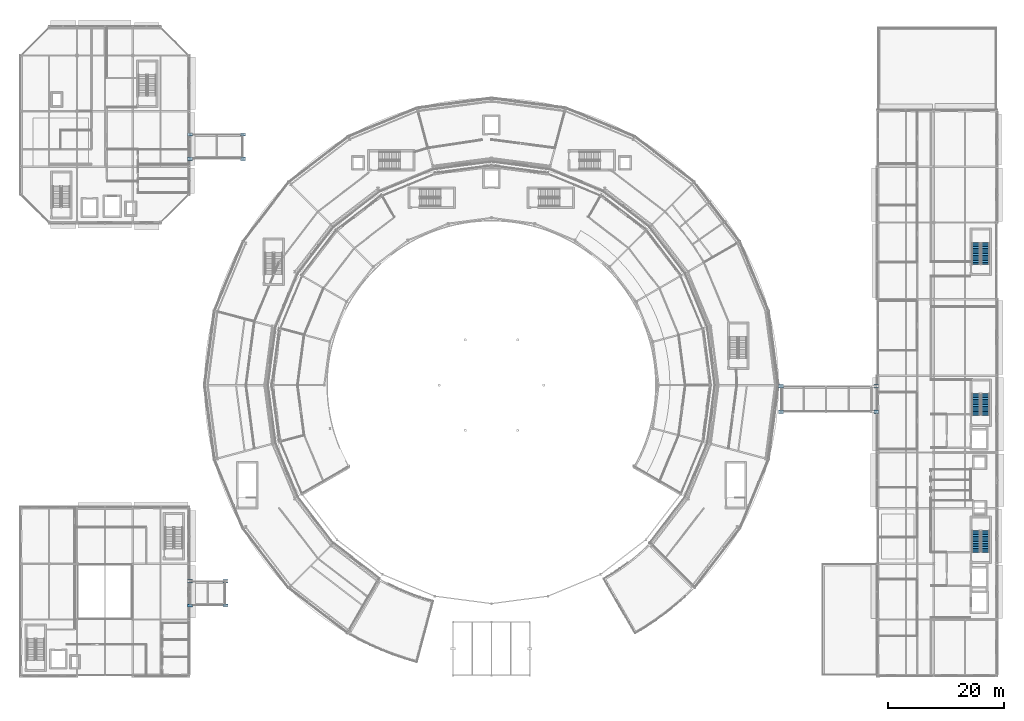
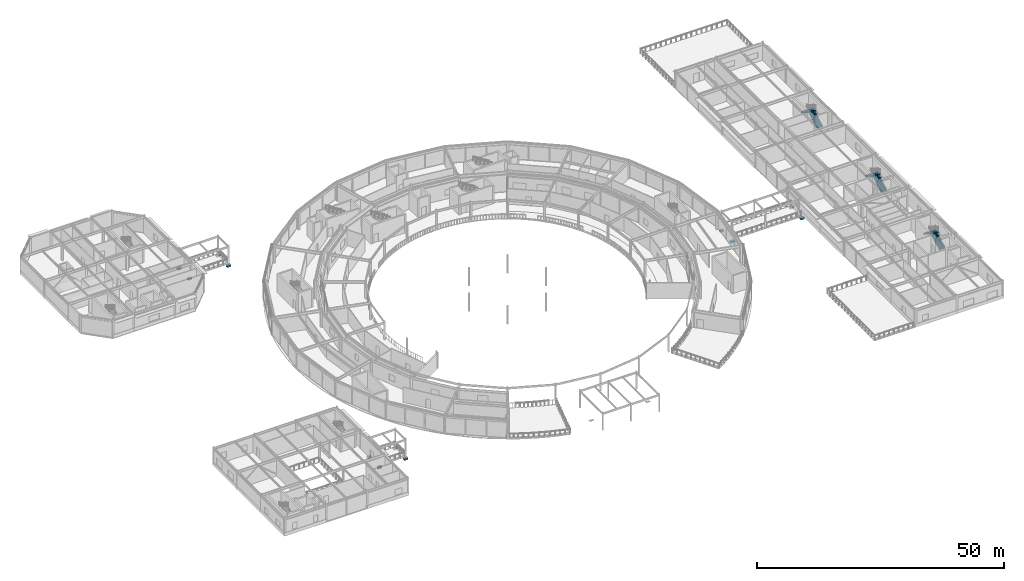
# One storey, part 129 of 157: 13 discrete accessories, 6 stair flights, 3 elements without a shape of their own.
"""IFC4 building model written with IfcOpenShell, lengths in metres."""

from ifc_helpers import new_model, si_unit, direction, frame, origin, origin_2d, place, context, subcontext, project, spatial, polyline, rectangle, outline, extrude, material, layer, layer_set, type_object, element, aggregate, save


model = new_model("IFC4")

# Units and contexts
model_context = context("Model", 3, precision=1e-05, world=origin(), true_north=direction((0.0, 1.0)))
body_context = subcontext(model_context, "Body", "Model", "MODEL_VIEW")
ifc_project = project(units=[si_unit("LENGTHUNIT", "METRE"), si_unit("AREAUNIT", "SQUARE_METRE"), si_unit("VOLUMEUNIT", "CUBIC_METRE"), si_unit("PLANEANGLEUNIT", "RADIAN"), si_unit("MASSUNIT", "GRAM", prefix="KILO")], contexts=[model_context])

# Site, building, storey
site_placement = place(None, origin())
site = spatial("IfcSite", under=ifc_project, at=site_placement, CompositionType="ELEMENT")
building_placement = place(site_placement, origin())
building = spatial("IfcBuilding", under=site, at=building_placement, Name="Almandine Court Research Institute", CompositionType="ELEMENT")
storey_placement = place(building_placement, frame((0.0, 0.0, 5.25)))
storey = spatial("IfcBuildingStorey", under=building, at=storey_placement, Name="L01", CompositionType="ELEMENT", Elevation=5.25)

# Stair, stair flights
ifc_material_1 = material(Name="Concrete C35/45", Category="concrete")
stair_type = type_object("IfcStairType", Name="Stair-Core-26R", PredefinedType="HALF_TURN_STAIR", material=ifc_material_1)
stair_1_placement = place(storey_placement, origin())
stair_1 = element("IfcStair", 1, at=stair_1_placement, inside=storey, type_object=stair_type, Name="L01 Wet Lab South High-Rise Core Stair", PredefinedType="HALF_TURN_STAIR")
stair_flight_type = type_object("IfcStairFlightType", Name="Flight-Core-26R", PredefinedType="STRAIGHT", material=ifc_material_1)
stair_flight_1_placement = place(storey_placement, frame((172.090087890625, 27.25, 0.0), z_axis=(0.0, 0.0, 1.0), x_axis=(0.0, 1.0, 0.0)))
stair_flight_1 = element("IfcStairFlight", 2, at=stair_flight_1_placement, type_object=stair_flight_type, Name="ST-07 flight 1", NumberOfRisers=13, NumberOfTreads=12, PredefinedType="STRAIGHT", RiserHeight=0.175, TreadLength=0.3, context=body_context, shape_type="SweptSolid", body=[
    extrude(outline(polyline([(-0.080078125, -0.139892578125), (-0.080078125, 0.0), (0.0, 0.0), (0.0, 0.175048828125), (0.300048828125, 0.175048828125), (0.300048828125, 0.35009765625), (0.60009765625, 0.35009765625), (0.60009765625, 0.52490234375), (0.89990234375, 0.52490234375), (0.89990234375, 0.699951171875), (1.199951171875, 0.699951171875), (1.199951171875, 0.875), (1.5, 0.875), (1.5, 1.050048828125), (1.800048828125, 1.050048828125), (1.800048828125, 1.22509765625), (2.10009765625, 1.22509765625), (2.10009765625, 1.39990234375), (2.39990234375, 1.39990234375), (2.39990234375, 1.574951171875), (2.699951171875, 1.574951171875), (2.699951171875, 1.75), (3.0, 1.75), (3.0, 1.925048828125), (3.300048828125, 1.925048828125), (3.300048828125, 2.10009765625), (3.60009765625, 2.10009765625), (3.60009765625, 2.27490234375), (3.679931640625, 2.27490234375), (3.679931640625, 2.114990234375), (3.60009765625, 1.914794921875), (0.3173828125, 0.0), (0.3173828125, -0.139892578125), (-0.080078125, -0.139892578125)])), frame((0.0, 0.7099609375, 0.0), z_axis=(0.0, -1.0, 0.0), x_axis=(1.0, 0.0, 0.0)), (0.0, 0.0, 1.0), 1.419921875),
])
stair_flight_2_placement = place(storey_placement, frame((170.510009765625, 30.85009765625, 2.27490234375), z_axis=(0.0, 0.0, 1.0), x_axis=(0.0, -1.0, 0.0)))
stair_flight_2 = element("IfcStairFlight", 3, at=stair_flight_2_placement, type_object=stair_flight_type, Name="ST-07 flight 2", NumberOfRisers=13, NumberOfTreads=12, PredefinedType="STRAIGHT", RiserHeight=0.175, TreadLength=0.3, context=body_context, shape_type="SweptSolid", body=[
    extrude(outline(polyline([(-0.080078125, -0.139892578125), (-0.080078125, 0.0), (0.0, 0.0), (0.0, 0.175048828125), (0.300048828125, 0.175048828125), (0.300048828125, 0.35009765625), (0.60009765625, 0.35009765625), (0.60009765625, 0.52490234375), (0.89990234375, 0.52490234375), (0.89990234375, 0.699951171875), (1.199951171875, 0.699951171875), (1.199951171875, 0.875), (1.5, 0.875), (1.5, 1.050048828125), (1.800048828125, 1.050048828125), (1.800048828125, 1.22509765625), (2.10009765625, 1.22509765625), (2.10009765625, 1.39990234375), (2.39990234375, 1.39990234375), (2.39990234375, 1.574951171875), (2.699951171875, 1.574951171875), (2.699951171875, 1.75), (3.0, 1.75), (3.0, 1.925048828125), (3.300048828125, 1.925048828125), (3.300048828125, 2.10009765625), (3.60009765625, 2.10009765625), (3.60009765625, 2.27490234375), (3.679931640625, 2.27490234375), (3.679931640625, 2.114990234375), (3.60009765625, 1.914794921875), (0.3173828125, 0.0), (0.3173828125, -0.139892578125), (-0.080078125, -0.139892578125)])), frame((0.0, 0.7099609375, 0.0), z_axis=(0.0, -1.0, 0.0), x_axis=(1.0, 0.0, 0.0)), (0.0, 0.0, 1.0), 1.419921875),
])
aggregate(stair_1, [stair_flight_1, stair_flight_2])

stair_2_placement = place(storey_placement, origin())
stair_2 = element("IfcStair", 4, at=stair_2_placement, inside=storey, type_object=stair_type, Name="L01 Wet Lab Central High-Rise Core Stair", PredefinedType="HALF_TURN_STAIR")
stair_flight_3_placement = place(storey_placement, frame((172.090087890625, 50.85009765625, 0.0), z_axis=(0.0, 0.0, 1.0), x_axis=(0.0, 1.0, 0.0)))
stair_flight_3 = element("IfcStairFlight", 5, at=stair_flight_3_placement, type_object=stair_flight_type, Name="ST-08 flight 1", NumberOfRisers=13, NumberOfTreads=12, PredefinedType="STRAIGHT", RiserHeight=0.175, TreadLength=0.3, context=body_context, shape_type="SweptSolid", body=[
    extrude(outline(polyline([(-0.080078125, -0.139892578125), (-0.080078125, 0.0), (0.0, 0.0), (0.0, 0.175048828125), (0.300048828125, 0.175048828125), (0.300048828125, 0.35009765625), (0.60009765625, 0.35009765625), (0.60009765625, 0.52490234375), (0.89990234375, 0.52490234375), (0.89990234375, 0.699951171875), (1.199951171875, 0.699951171875), (1.199951171875, 0.875), (1.5, 0.875), (1.5, 1.050048828125), (1.800048828125, 1.050048828125), (1.800048828125, 1.22509765625), (2.10009765625, 1.22509765625), (2.10009765625, 1.39990234375), (2.39990234375, 1.39990234375), (2.39990234375, 1.574951171875), (2.699951171875, 1.574951171875), (2.699951171875, 1.75), (3.0, 1.75), (3.0, 1.925048828125), (3.300048828125, 1.925048828125), (3.300048828125, 2.10009765625), (3.60009765625, 2.10009765625), (3.60009765625, 2.27490234375), (3.679931640625, 2.27490234375), (3.679931640625, 2.114990234375), (3.60009765625, 1.914794921875), (0.3173828125, 0.0), (0.3173828125, -0.139892578125), (-0.080078125, -0.139892578125)])), frame((0.0, 0.7099609375, 0.0), z_axis=(0.0, -1.0, 0.0), x_axis=(1.0, 0.0, 0.0)), (0.0, 0.0, 1.0), 1.419921875),
])
stair_flight_4_placement = place(storey_placement, frame((170.510009765625, 54.449951171875, 2.27490234375), z_axis=(0.0, 0.0, 1.0), x_axis=(0.0, -1.0, 0.0)))
stair_flight_4 = element("IfcStairFlight", 6, at=stair_flight_4_placement, type_object=stair_flight_type, Name="ST-08 flight 2", NumberOfRisers=13, NumberOfTreads=12, PredefinedType="STRAIGHT", RiserHeight=0.175, TreadLength=0.3, context=body_context, shape_type="SweptSolid", body=[
    extrude(outline(polyline([(-0.080078125, -0.139892578125), (-0.080078125, 0.0), (0.0, 0.0), (0.0, 0.175048828125), (0.300048828125, 0.175048828125), (0.300048828125, 0.35009765625), (0.60009765625, 0.35009765625), (0.60009765625, 0.52490234375), (0.89990234375, 0.52490234375), (0.89990234375, 0.699951171875), (1.199951171875, 0.699951171875), (1.199951171875, 0.875), (1.5, 0.875), (1.5, 1.050048828125), (1.800048828125, 1.050048828125), (1.800048828125, 1.22509765625), (2.10009765625, 1.22509765625), (2.10009765625, 1.39990234375), (2.39990234375, 1.39990234375), (2.39990234375, 1.574951171875), (2.699951171875, 1.574951171875), (2.699951171875, 1.75), (3.0, 1.75), (3.0, 1.925048828125), (3.300048828125, 1.925048828125), (3.300048828125, 2.10009765625), (3.60009765625, 2.10009765625), (3.60009765625, 2.27490234375), (3.679931640625, 2.27490234375), (3.679931640625, 2.114990234375), (3.60009765625, 1.914794921875), (0.3173828125, 0.0), (0.3173828125, -0.139892578125), (-0.080078125, -0.139892578125)])), frame((0.0, 0.7099609375, 0.0), z_axis=(0.0, -1.0, 0.0), x_axis=(1.0, 0.0, 0.0)), (0.0, 0.0, 1.0), 1.419921875),
])
aggregate(stair_2, [stair_flight_3, stair_flight_4])

stair_3_placement = place(storey_placement, origin())
stair_3 = element("IfcStair", 7, at=stair_3_placement, inside=storey, type_object=stair_type, Name="L01 Wet Lab North Exit Stair", PredefinedType="HALF_TURN_STAIR")
stair_flight_5_placement = place(storey_placement, frame((172.090087890625, 76.85009765625, 0.0), z_axis=(0.0, 0.0, 1.0), x_axis=(0.0, 1.0, 0.0)))
stair_flight_5 = element("IfcStairFlight", 8, at=stair_flight_5_placement, type_object=stair_flight_type, Name="ST-13 flight 1", NumberOfRisers=13, NumberOfTreads=12, PredefinedType="STRAIGHT", RiserHeight=0.175, TreadLength=0.3, context=body_context, shape_type="SweptSolid", body=[
    extrude(outline(polyline([(-0.080078125, -0.139892578125), (-0.080078125, 0.0), (0.0, 0.0), (0.0, 0.175048828125), (0.300048828125, 0.175048828125), (0.300048828125, 0.35009765625), (0.60009765625, 0.35009765625), (0.60009765625, 0.52490234375), (0.89990234375, 0.52490234375), (0.89990234375, 0.699951171875), (1.199951171875, 0.699951171875), (1.199951171875, 0.875), (1.5, 0.875), (1.5, 1.050048828125), (1.800048828125, 1.050048828125), (1.800048828125, 1.22509765625), (2.10009765625, 1.22509765625), (2.10009765625, 1.39990234375), (2.39990234375, 1.39990234375), (2.39990234375, 1.574951171875), (2.699951171875, 1.574951171875), (2.699951171875, 1.75), (3.0, 1.75), (3.0, 1.925048828125), (3.300048828125, 1.925048828125), (3.300048828125, 2.10009765625), (3.60009765625, 2.10009765625), (3.60009765625, 2.27490234375), (3.679931640625, 2.27490234375), (3.679931640625, 2.114990234375), (3.60009765625, 1.914794921875), (0.3173828125, 0.0), (0.3173828125, -0.139892578125), (-0.080078125, -0.139892578125)])), frame((0.0, 0.7099609375, 0.0), z_axis=(0.0, -1.0, 0.0), x_axis=(1.0, 0.0, 0.0)), (0.0, 0.0, 1.0), 1.419921875),
])
stair_flight_6_placement = place(storey_placement, frame((170.510009765625, 80.449951171875, 2.27490234375), z_axis=(0.0, 0.0, 1.0), x_axis=(0.0, -1.0, 0.0)))
stair_flight_6 = element("IfcStairFlight", 9, at=stair_flight_6_placement, type_object=stair_flight_type, Name="ST-13 flight 2", NumberOfRisers=13, NumberOfTreads=12, PredefinedType="STRAIGHT", RiserHeight=0.175, TreadLength=0.3, context=body_context, shape_type="SweptSolid", body=[
    extrude(outline(polyline([(-0.080078125, -0.139892578125), (-0.080078125, 0.0), (0.0, 0.0), (0.0, 0.175048828125), (0.300048828125, 0.175048828125), (0.300048828125, 0.35009765625), (0.60009765625, 0.35009765625), (0.60009765625, 0.52490234375), (0.89990234375, 0.52490234375), (0.89990234375, 0.699951171875), (1.199951171875, 0.699951171875), (1.199951171875, 0.875), (1.5, 0.875), (1.5, 1.050048828125), (1.800048828125, 1.050048828125), (1.800048828125, 1.22509765625), (2.10009765625, 1.22509765625), (2.10009765625, 1.39990234375), (2.39990234375, 1.39990234375), (2.39990234375, 1.574951171875), (2.699951171875, 1.574951171875), (2.699951171875, 1.75), (3.0, 1.75), (3.0, 1.925048828125), (3.300048828125, 1.925048828125), (3.300048828125, 2.10009765625), (3.60009765625, 2.10009765625), (3.60009765625, 2.27490234375), (3.679931640625, 2.27490234375), (3.679931640625, 2.114990234375), (3.60009765625, 1.914794921875), (0.3173828125, 0.0), (0.3173828125, -0.139892578125), (-0.080078125, -0.139892578125)])), frame((0.0, 0.7099609375, 0.0), z_axis=(0.0, -1.0, 0.0), x_axis=(1.0, 0.0, 0.0)), (0.0, 0.0, 1.0), 1.419921875),
])
aggregate(stair_3, [stair_flight_5, stair_flight_6])

# Discrete accessories
ifc_material_2 = material(Name="Concrete C40/50", Category="concrete")
ifc_layer_1 = layer(ifc_material_2, 0.419921875)
ifc_layer_set_1 = layer_set([ifc_layer_1], Name="Concrete C40/50")
discrete_accessory_type_1 = type_object("IfcDiscreteAccessoryType", Name="Acc-Bridge-Seat-850", PredefinedType="BRACKET", material=ifc_layer_set_1)
for number, where, z_axis, x_axis, name in (
    (10, (35.10009765625, 18.0, -0.77001953125), (0.0, 0.0, 1.0), (1.0, 0.0, 0.0), "Reinforced Concrete Bridge Seismic Bearing Seat 850mm DAL-SW-1-1"),
    (11, (35.10009765625, 22.199951171875, -0.77001953125), (0.0, 0.0, 1.0), (1.0, 0.0, 0.0), "Reinforced Concrete Bridge Seismic Bearing Seat 850mm DAL-SW-1-2"),
    (12, (41.199951171875, 18.0, -0.77001953125), (0.0, 0.0, 1.0), (1.0, 0.0, 0.0), "Reinforced Concrete Bridge Seismic Bearing Seat 850mm DAL-SW-2-1"),
    (13, (41.199951171875, 22.199951171875, -0.77001953125), (0.0, 0.0, 1.0), (1.0, 0.0, 0.0), "Reinforced Concrete Bridge Seismic Bearing Seat 850mm DAL-SW-2-2"),
    (14, (35.10009765625, 95.0, -0.77001953125), (0.0, 0.0, 1.0), (1.0, 0.0, 0.0), "Reinforced Concrete Bridge Seismic Bearing Seat 850mm DAL-NW-1-1"),
    (15, (35.10009765625, 99.199951171875, -0.77001953125), (0.0, 0.0, 1.0), (1.0, 0.0, 0.0), "Reinforced Concrete Bridge Seismic Bearing Seat 850mm DAL-NW-1-2"),
    (16, (44.199951171875, 95.0, -0.77001953125), (0.0, 0.0, 1.0), (1.0, 0.0, 0.0), "Reinforced Concrete Bridge Seismic Bearing Seat 850mm DAL-NW-2-1"),
    (17, (44.199951171875, 99.199951171875, -0.77001953125), (0.0, 0.0, 1.0), (1.0, 0.0, 0.0), "Reinforced Concrete Bridge Seismic Bearing Seat 850mm DAL-NW-2-2"),
    (18, (136.89990234375, 51.39990234375, -0.77001953125), (0.0, 0.0, 1.0), (1.0, 0.0, 0.0), "Reinforced Concrete Bridge Seismic Bearing Seat 850mm DAL-E-1-1"),
    (19, (136.89990234375, 55.800048828125, -0.77001953125), (0.0, 0.0, 1.0), (1.0, 0.0, 0.0), "Reinforced Concrete Bridge Seismic Bearing Seat 850mm DAL-E-1-2"),
    (20, (153.300048828125, 51.39990234375, -0.77001953125), (0.0, 0.0, 1.0), (1.0, 0.0, 0.0), "Reinforced Concrete Bridge Seismic Bearing Seat 850mm DAL-E-2-1"),
    (21, (153.300048828125, 55.800048828125, -0.77001953125), (0.0, 0.0, 1.0), (1.0, 0.0, 0.0), "Reinforced Concrete Bridge Seismic Bearing Seat 850mm DAL-E-2-2"),
):
    element("IfcDiscreteAccessory", number, at=place(storey_placement, frame(where, z_axis=z_axis, x_axis=x_axis)), inside=storey, type_object=discrete_accessory_type_1, Name=name, PredefinedType="BRACKET", context=body_context, shape_type="SweptSolid", body=[
        extrude(rectangle(XDim=0.85009765625, YDim=0.550048828125, at=origin_2d()), origin(), (0.0, 0.0, 1.0), 0.419921875),
    ])
ifc_material_3 = material(Name="Elastomeric PTFE Sliding Bearing Assembly")
ifc_layer_2 = layer(ifc_material_3, 0.1201171875)
ifc_layer_set_2 = layer_set([ifc_layer_2], Name="Elastomeric PTFE Sliding Bearing Assembly")
discrete_accessory_type_2 = type_object("IfcDiscreteAccessoryType", Name="Acc-PTFE-Bearing", PredefinedType="BRACKET", material=ifc_layer_set_2)
discrete_accessory_placement = place(storey_placement, frame((35.10009765625, 18.0, -0.35009765625), z_axis=(0.0, 0.0, 1.0), x_axis=(1.0, 0.0, 0.0)))
element("IfcDiscreteAccessory", 22, at=discrete_accessory_placement, inside=storey, type_object=discrete_accessory_type_2, Name="Unguided PTFE Multi-Directional Sliding Bearing DAL-SW-1-1", PredefinedType="BRACKET", context=body_context, shape_type="SweptSolid", body=[
    extrude(rectangle(XDim=0.85009765625, YDim=0.449951171875, at=origin_2d()), origin(), (0.0, 0.0, 1.0), 0.1201171875),
])

save(model, "model.ifc")
